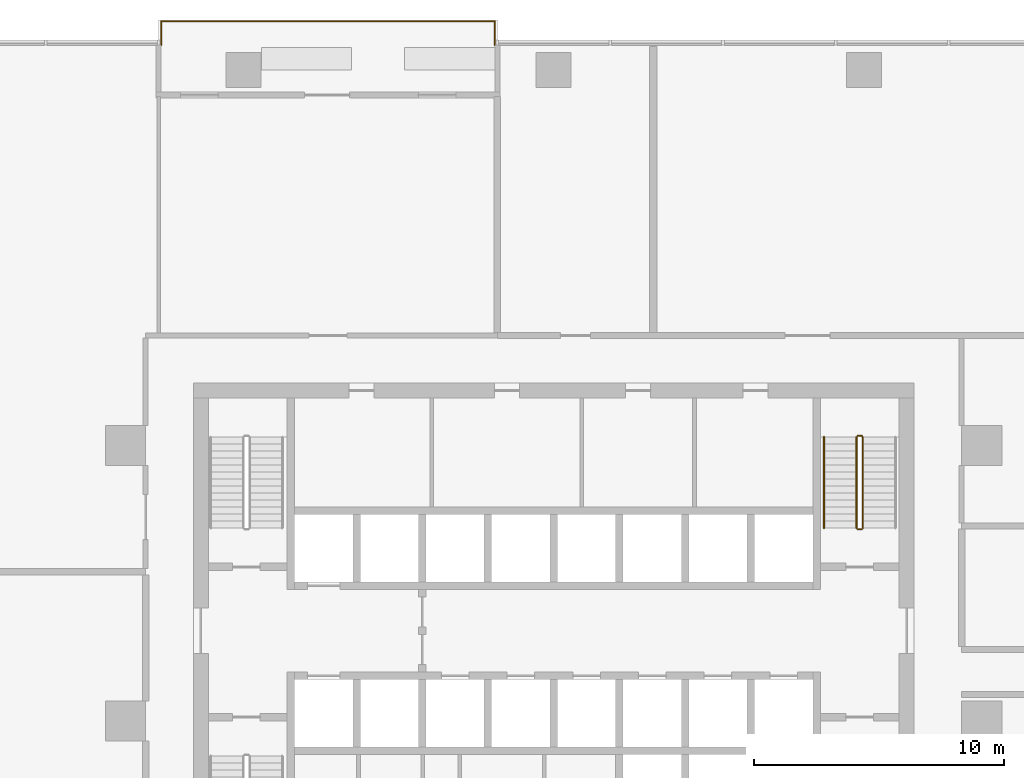
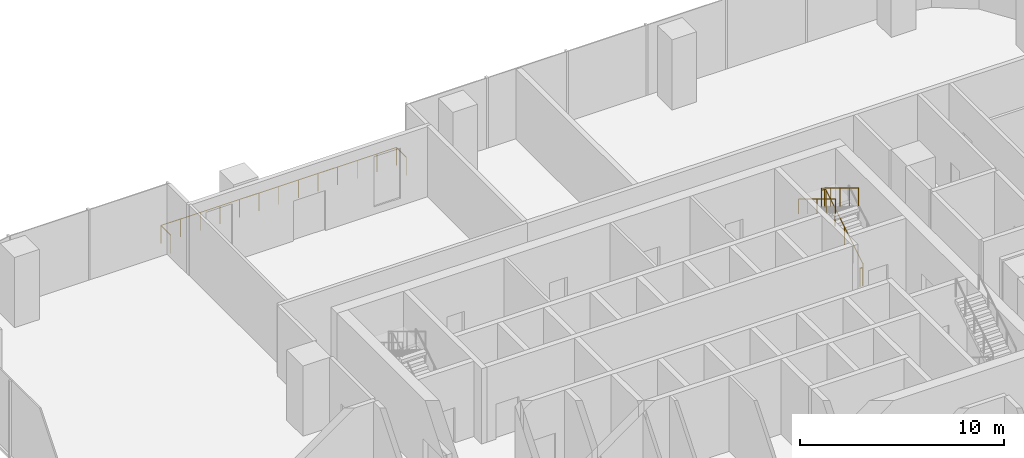
# One storey, part 14 of 15: 5 railings.
"""IFC4 building model written with IfcOpenShell, lengths in metres."""

from ifc_helpers import new_model, si_unit, direction, frame, origin, origin_2d, place, context, subcontext, project, spatial, circle, extrude, material, type_object, element, save


model = new_model("IFC4")

# Units and contexts
model_context = context("Model", 3, precision=1e-05, world=origin(), true_north=direction((0.0, 1.0)))
body_context = subcontext(model_context, "Body", "Model", "MODEL_VIEW")
ifc_project = project(units=[si_unit("LENGTHUNIT", "METRE"), si_unit("AREAUNIT", "SQUARE_METRE"), si_unit("VOLUMEUNIT", "CUBIC_METRE"), si_unit("PLANEANGLEUNIT", "RADIAN"), si_unit("MASSUNIT", "GRAM", prefix="KILO")], contexts=[model_context])

# Site, building, storey
site_placement = place(None, origin())
site = spatial("IfcSite", under=ifc_project, at=site_placement, CompositionType="ELEMENT")
building_placement = place(site_placement, origin())
building = spatial("IfcBuilding", under=site, at=building_placement, Name="Mopane Tessera Tower", CompositionType="ELEMENT")
storey_placement = place(building_placement, frame((0.0, 0.0, 83.800048828125)))
storey = spatial("IfcBuildingStorey", under=building, at=storey_placement, Name="L16", CompositionType="ELEMENT", Elevation=83.800048828125)

# Railings
ifc_material_1 = material(Name="Powder-coated steel balustrade", Category="steel")
railing_type_1 = type_object("IfcRailingType", Name="Escape stair guard 1100 mm", PredefinedType="GUARDRAIL", material=ifc_material_1)
railing_1_placement = place(storey_placement, frame((12.35009765625, 7.699951171875, 0.17138671875)))
element("IfcRailing", 1, at=railing_1_placement, inside=storey, type_object=railing_type_1, Name="L16 ST4 stair guard 1", PredefinedType="GUARDRAIL", context=body_context, shape_type="SweptSolid", body=[
    extrude(circle(Radius=0.02392578125, at=origin_2d()), frame((0.0, 0.0, 1.076171875), z_axis=(0.0, 0.852865859571, 0.52213008492), x_axis=(-1.0, 0.0, 0.0)), (0.0, 0.0, 1.0), 4.26806640625),
    extrude(circle(Radius=0.02392578125, at=origin_2d()), frame((0.0, 3.64013671875, 3.3046875), z_axis=(-0.708833529934, 0.705375805398, 0.0), x_axis=(-0.705375805398, -0.708833529934, 0.0)), (0.0, 0.0, 1.0), 0.070556640625),
    extrude(circle(Radius=0.02392578125, at=origin_2d()), frame((-0.050048828125, 3.68994140625, 3.3046875), z_axis=(-1.0, 0.0, 0.0), x_axis=(0.0, -1.0, 0.0)), (0.0, 0.0, 1.0), 0.150146484375),
    extrude(circle(Radius=0.02099609375, at=origin_2d()), origin(), (0.0, 0.0, 1.0), 1.052001953125),
    extrude(circle(Radius=0.02099609375, at=origin_2d()), frame((0.0, 0.91015625, 0.55712890625)), (0.0, 0.0, 1.0), 1.052001953125),
    extrude(circle(Radius=0.02099609375, at=origin_2d()), frame((0.0, 1.820068359375, 1.1142578125)), (0.0, 0.0, 1.0), 1.052001953125),
    extrude(circle(Radius=0.02099609375, at=origin_2d()), frame((0.0, 2.72998046875, 1.67138671875)), (0.0, 0.0, 1.0), 1.052001953125),
    extrude(circle(Radius=0.02099609375, at=origin_2d()), frame((0.0, 3.64013671875, 2.228515625)), (0.0, 0.0, 1.0), 1.052001953125),
    extrude(circle(Radius=0.02099609375, at=origin_2d()), frame((-0.050048828125, 3.68994140625, 2.228515625)), (0.0, 0.0, 1.0), 1.052001953125),
    extrude(circle(Radius=0.02099609375, at=origin_2d()), frame((-0.2001953125, 3.68994140625, 2.228515625)), (0.0, 0.0, 1.0), 1.052001953125),
])
railing_2_placement = place(storey_placement, frame((12.10009765625, 11.340087890625, 2.5712890625)))
element("IfcRailing", 2, at=railing_2_placement, inside=storey, type_object=railing_type_1, Name="L16 ST4 stair guard 2", PredefinedType="GUARDRAIL", context=body_context, shape_type="SweptSolid", body=[
    extrude(circle(Radius=0.02392578125, at=origin_2d()), frame((0.0, 0.0, 1.076171875), z_axis=(0.0, -0.852840387347, 0.522171689878), x_axis=(1.0, 0.0, 0.0)), (0.0, 0.0, 1.0), 4.268310546875),
    extrude(circle(Radius=0.02099609375, at=origin_2d()), origin(), (0.0, 0.0, 1.0), 1.052001953125),
    extrude(circle(Radius=0.02099609375, at=origin_2d()), frame((0.0, -0.91015625, 0.55712890625)), (0.0, 0.0, 1.0), 1.052001953125),
    extrude(circle(Radius=0.02099609375, at=origin_2d()), frame((0.0, -1.820068359375, 1.1142578125)), (0.0, 0.0, 1.0), 1.052001953125),
    extrude(circle(Radius=0.02099609375, at=origin_2d()), frame((0.0, -2.72998046875, 1.671630859375)), (0.0, 0.0, 1.0), 1.052001953125),
    extrude(circle(Radius=0.02099609375, at=origin_2d()), frame((0.0, -3.64013671875, 2.228759765625)), (0.0, 0.0, 1.0), 1.052001953125),
])
railing_3_placement = place(storey_placement, frame((12.300048828125, 7.64990234375, 0.0)))
element("IfcRailing", 3, at=railing_3_placement, inside=storey, type_object=railing_type_1, Name="L16 ST4 stair guard 3", PredefinedType="GUARDRAIL", context=body_context, shape_type="SweptSolid", body=[
    extrude(circle(Radius=0.02392578125, at=origin_2d()), frame((0.0, 0.0, 1.076171875), z_axis=(-1.0, 0.0, 0.0), x_axis=(0.0, -1.0, 0.0)), (0.0, 0.0, 1.0), 0.150146484375),
    extrude(circle(Radius=0.02099609375, at=origin_2d()), origin(), (0.0, 0.0, 1.0), 1.052001953125),
    extrude(circle(Radius=0.02099609375, at=origin_2d()), frame((-0.150146484375, 0.0, 0.0)), (0.0, 0.0, 1.0), 1.052001953125),
])
ifc_material_2 = material(Name="Powder-coated steel balustrade", Category="steel")
railing_type_2 = type_object("IfcRailingType", Name="Escape stair handrail 900 mm", PredefinedType="HANDRAIL", material=ifc_material_2)
railing_4_placement = place(storey_placement, frame((10.800048828125, 11.340087890625, 2.5712890625)))
element("IfcRailing", 4, at=railing_4_placement, inside=storey, type_object=railing_type_2, Name="L16 ST4 stair handrail 2", PredefinedType="HANDRAIL", context=body_context, shape_type="SweptSolid", body=[
    extrude(circle(Radius=0.02392578125, at=origin_2d()), frame((0.0, 0.0, 0.8759765625), z_axis=(0.0, -0.852840387347, 0.522171689878), x_axis=(1.0, 0.0, 0.0)), (0.0, 0.0, 1.0), 4.268310546875),
    extrude(circle(Radius=0.02099609375, at=origin_2d()), origin(), (0.0, 0.0, 1.0), 0.851806640625),
    extrude(circle(Radius=0.02099609375, at=origin_2d()), frame((0.0, -0.91015625, 0.55712890625)), (0.0, 0.0, 1.0), 0.851806640625),
    extrude(circle(Radius=0.02099609375, at=origin_2d()), frame((0.0, -1.820068359375, 1.1142578125)), (0.0, 0.0, 1.0), 0.851806640625),
    extrude(circle(Radius=0.02099609375, at=origin_2d()), frame((0.0, -2.72998046875, 1.671630859375)), (0.0, 0.0, 1.0), 0.851806640625),
    extrude(circle(Radius=0.02099609375, at=origin_2d()), frame((0.0, -3.64013671875, 2.228759765625)), (0.0, 0.0, 1.0), 0.851806640625),
])
ifc_material_3 = material(Name="Stainless steel S316", Category="steel")
railing_type_3 = type_object("IfcRailingType", Name="Terrace guard 1100", PredefinedType="GUARDRAIL", material=ifc_material_3)
railing_5_placement = place(storey_placement, frame((-2.3544921875, 27.0, 0.0)))
element("IfcRailing", 5, at=railing_5_placement, inside=storey, type_object=railing_type_3, Name="e:nw:L16:N2:guard", PredefinedType="GUARDRAIL", context=body_context, shape_type="SweptSolid", body=[
    extrude(circle(Radius=0.02392578125, at=origin_2d()), frame((0.0, 0.0, 1.076171875), z_axis=(0.0, 1.0, 0.0), x_axis=(-1.0, 0.0, 0.0)), (0.0, 0.0, 1.0), 0.949951171875),
    extrude(circle(Radius=0.02392578125, at=origin_2d()), frame((0.0, 0.949951171875, 1.076171875), z_axis=(-1.0, 0.0, 0.0), x_axis=(0.0, -1.0, 0.0)), (0.0, 0.0, 1.0), 13.327392578125),
    extrude(circle(Radius=0.02392578125, at=origin_2d()), frame((-13.327392578125, 0.949951171875, 1.076171875), z_axis=(0.0, -1.0, 0.0), x_axis=(1.0, 0.0, 0.0)), (0.0, 0.0, 1.0), 0.949951171875),
    extrude(circle(Radius=0.02099609375, at=origin_2d()), origin(), (0.0, 0.0, 1.0), 1.052001953125),
    extrude(circle(Radius=0.02099609375, at=origin_2d()), frame((0.0, 0.949951171875, 0.0)), (0.0, 0.0, 1.0), 1.052001953125),
    extrude(circle(Radius=0.02099609375, at=origin_2d()), frame((-1.110595703125, 0.949951171875, 0.0)), (0.0, 0.0, 1.0), 1.052001953125),
    extrude(circle(Radius=0.02099609375, at=origin_2d()), frame((-2.22119140625, 0.949951171875, 0.0)), (0.0, 0.0, 1.0), 1.052001953125),
    extrude(circle(Radius=0.02099609375, at=origin_2d()), frame((-3.331787109375, 0.949951171875, 0.0)), (0.0, 0.0, 1.0), 1.052001953125),
    extrude(circle(Radius=0.02099609375, at=origin_2d()), frame((-4.4423828125, 0.949951171875, 0.0)), (0.0, 0.0, 1.0), 1.052001953125),
    extrude(circle(Radius=0.02099609375, at=origin_2d()), frame((-5.552978515625, 0.949951171875, 0.0)), (0.0, 0.0, 1.0), 1.052001953125),
    extrude(circle(Radius=0.02099609375, at=origin_2d()), frame((-6.66357421875, 0.949951171875, 0.0)), (0.0, 0.0, 1.0), 1.052001953125),
    extrude(circle(Radius=0.02099609375, at=origin_2d()), frame((-7.7744140625, 0.949951171875, 0.0)), (0.0, 0.0, 1.0), 1.052001953125),
    extrude(circle(Radius=0.02099609375, at=origin_2d()), frame((-8.885009765625, 0.949951171875, 0.0)), (0.0, 0.0, 1.0), 1.052001953125),
    extrude(circle(Radius=0.02099609375, at=origin_2d()), frame((-9.99560546875, 0.949951171875, 0.0)), (0.0, 0.0, 1.0), 1.052001953125),
    extrude(circle(Radius=0.02099609375, at=origin_2d()), frame((-11.106201171875, 0.949951171875, 0.0)), (0.0, 0.0, 1.0), 1.052001953125),
    extrude(circle(Radius=0.02099609375, at=origin_2d()), frame((-12.216796875, 0.949951171875, 0.0)), (0.0, 0.0, 1.0), 1.052001953125),
    extrude(circle(Radius=0.02099609375, at=origin_2d()), frame((-13.327392578125, 0.949951171875, 0.0)), (0.0, 0.0, 1.0), 1.052001953125),
    extrude(circle(Radius=0.02099609375, at=origin_2d()), frame((-13.327392578125, 0.0, 0.0)), (0.0, 0.0, 1.0), 1.052001953125),
])

save(model, "model.ifc")
